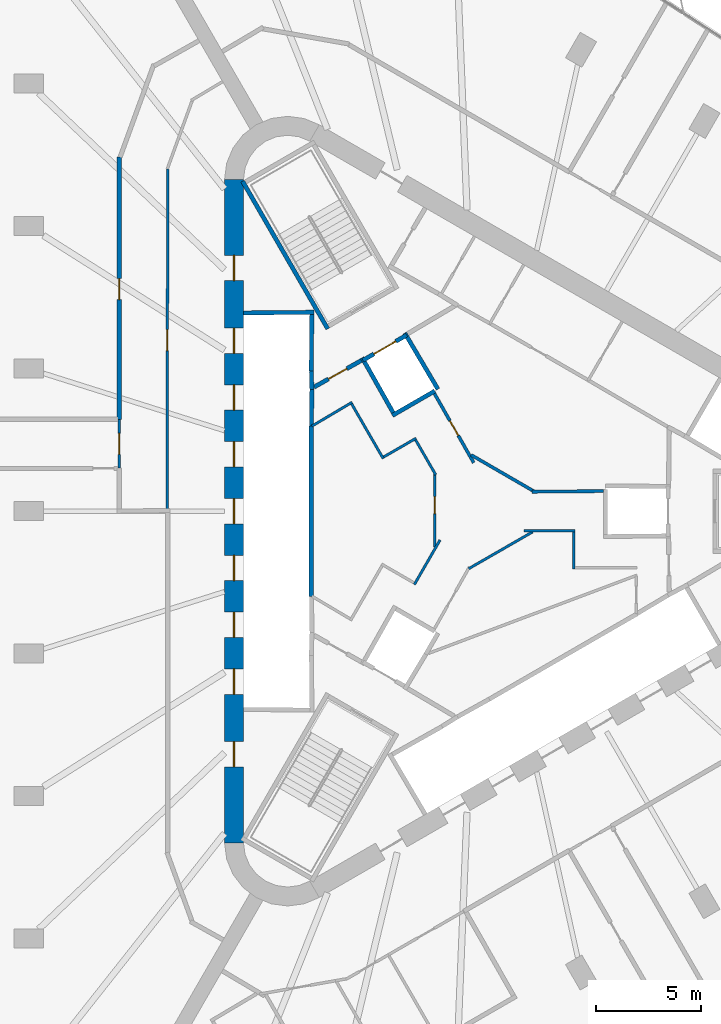
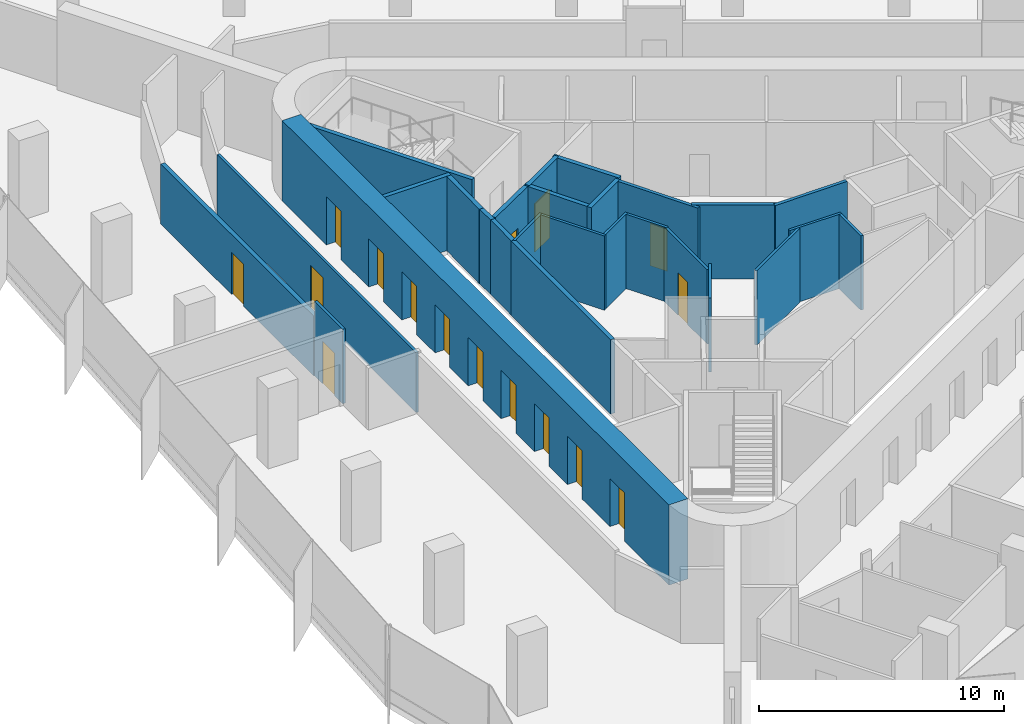
# One storey, part 10 of 14: 27 walls, 16 doors, 16 openings.
"""IFC4 building model written with IfcOpenShell, lengths in metres."""

from ifc_helpers import new_model, si_unit, direction, frame, frame_2d, origin, place, context, subcontext, project, spatial, rectangle, extrude, material, layer, layer_set, type_object, element, fill, save


model = new_model("IFC4")

# Units and contexts
model_context = context("Model", 3, precision=1e-05, world=origin(), true_north=direction((0.0, 1.0)))
body_context = subcontext(model_context, "Body", "Model", "MODEL_VIEW")
ifc_project = project(units=[si_unit("LENGTHUNIT", "METRE"), si_unit("AREAUNIT", "SQUARE_METRE"), si_unit("VOLUMEUNIT", "CUBIC_METRE"), si_unit("PLANEANGLEUNIT", "RADIAN"), si_unit("MASSUNIT", "GRAM", prefix="KILO")], contexts=[model_context])

# Site, building, storey
site_placement = place(None, origin())
site = spatial("IfcSite", under=ifc_project, at=site_placement, CompositionType="ELEMENT")
building_placement = place(site_placement, origin())
building = spatial("IfcBuilding", under=site, at=building_placement, Name="Tanit Gate Tower", CompositionType="ELEMENT")
storey_placement = place(building_placement, frame((0.0, 0.0, 257.199951171875)))
storey = spatial("IfcBuildingStorey", under=building, at=storey_placement, Name="L58", CompositionType="ELEMENT", Elevation=257.199951171875)

# Wall, openings, doors
ifc_material_1 = material(Name="Concrete C50/60", Category="concrete")
ifc_layer_1 = layer(ifc_material_1, 0.89990234375)
ifc_layer_set_1 = layer_set([ifc_layer_1], Name="CORE WALL 900 C50/60")
wall_type_1 = type_object("IfcWallType", Name="CORE WALL 900 C50/60", PredefinedType="SHEAR", material=ifc_layer_set_1)
wall_1_placement = place(storey_placement, frame((-11.64990234375, 15.76171875, 0.0), z_axis=(0.0, 0.0, 1.0), x_axis=(0.0, -1.0, 0.0)))
wall_1 = element("IfcWall", 1, at=wall_1_placement, inside=storey, type_object=wall_type_1, Name="CORE WALL", PredefinedType="SHEAR", context=body_context, shape_type="SweptSolid", body=[
    extrude(rectangle(XDim=31.5234375, YDim=0.89990234375, at=frame_2d((15.76171875, 0.0))), origin(), (0.0, 0.0, 1.0), 4.0),
])
opening_1_placement = place(wall_1_placement, frame((7.061767578125, 0.0, 0.0)))
opening_1 = element("IfcOpeningElement", 2, at=opening_1_placement, cuts=wall_1, Name="Opening LDML1-S16", PredefinedType="OPENING", context=body_context, shape_type="SweptSolid", body=[
    extrude(rectangle(XDim=1.199951171875, YDim=2.39990234375, at=frame_2d((0.60009765625, 1.199951171875))), frame((0.0, 0.4599609375, 0.0), z_axis=(0.0, -1.0, 0.0), x_axis=(1.0, 0.0, 0.0)), (0.0, 0.0, 1.0), 0.919921875),
])
opening_2_placement = place(wall_1_placement, frame((9.76171875, 0.0, 0.0)))
opening_2 = element("IfcOpeningElement", 3, at=opening_2_placement, cuts=wall_1, Name="Opening LDML2-S16", PredefinedType="OPENING", context=body_context, shape_type="SweptSolid", body=[
    extrude(rectangle(XDim=1.199951171875, YDim=2.39990234375, at=frame_2d((0.60009765625, 1.199951171875))), frame((0.0, 0.4599609375, 0.0), z_axis=(0.0, -1.0, 0.0), x_axis=(1.0, 0.0, 0.0)), (0.0, 0.0, 1.0), 0.919921875),
])
opening_3_placement = place(wall_1_placement, frame((12.461669921875, 0.0, 0.0)))
opening_3 = element("IfcOpeningElement", 4, at=opening_3_placement, cuts=wall_1, Name="Opening LDML3-S16", PredefinedType="OPENING", context=body_context, shape_type="SweptSolid", body=[
    extrude(rectangle(XDim=1.199951171875, YDim=2.39990234375, at=frame_2d((0.60009765625, 1.199951171875))), frame((0.0, 0.4599609375, 0.0), z_axis=(0.0, -1.0, 0.0), x_axis=(1.0, 0.0, 0.0)), (0.0, 0.0, 1.0), 0.919921875),
])
opening_4_placement = place(wall_1_placement, frame((15.16162109375, 0.0, 0.0)))
opening_4 = element("IfcOpeningElement", 5, at=opening_4_placement, cuts=wall_1, Name="Opening LDML4-S16", PredefinedType="OPENING", context=body_context, shape_type="SweptSolid", body=[
    extrude(rectangle(XDim=1.199951171875, YDim=2.39990234375, at=frame_2d((0.60009765625, 1.199951171875))), frame((0.0, 0.4599609375, 0.0), z_axis=(0.0, -1.0, 0.0), x_axis=(1.0, 0.0, 0.0)), (0.0, 0.0, 1.0), 0.919921875),
])
opening_5_placement = place(wall_1_placement, frame((17.86181640625, 0.0, 0.0)))
opening_5 = element("IfcOpeningElement", 6, at=opening_5_placement, cuts=wall_1, Name="Opening LDML5-S16", PredefinedType="OPENING", context=body_context, shape_type="SweptSolid", body=[
    extrude(rectangle(XDim=1.199951171875, YDim=2.39990234375, at=frame_2d((0.60009765625, 1.199951171875))), frame((0.0, 0.4599609375, 0.0), z_axis=(0.0, -1.0, 0.0), x_axis=(1.0, 0.0, 0.0)), (0.0, 0.0, 1.0), 0.919921875),
])
opening_6_placement = place(wall_1_placement, frame((20.561767578125, 0.0, 0.0)))
opening_6 = element("IfcOpeningElement", 7, at=opening_6_placement, cuts=wall_1, Name="Opening LDML6-S16", PredefinedType="OPENING", context=body_context, shape_type="SweptSolid", body=[
    extrude(rectangle(XDim=1.199951171875, YDim=2.39990234375, at=frame_2d((0.60009765625, 1.199951171875))), frame((0.0, 0.4599609375, 0.0), z_axis=(0.0, -1.0, 0.0), x_axis=(1.0, 0.0, 0.0)), (0.0, 0.0, 1.0), 0.919921875),
])
opening_7_placement = place(wall_1_placement, frame((23.26171875, 0.0, 0.0)))
opening_7 = element("IfcOpeningElement", 8, at=opening_7_placement, cuts=wall_1, Name="Opening LDML7-S16", PredefinedType="OPENING", context=body_context, shape_type="SweptSolid", body=[
    extrude(rectangle(XDim=1.199951171875, YDim=2.39990234375, at=frame_2d((0.60009765625, 1.199951171875))), frame((0.0, 0.4599609375, 0.0), z_axis=(0.0, -1.0, 0.0), x_axis=(1.0, 0.0, 0.0)), (0.0, 0.0, 1.0), 0.919921875),
])
opening_8_placement = place(wall_1_placement, frame((3.61181640625, 0.0, 0.0)))
opening_8 = element("IfcOpeningElement", 9, at=opening_8_placement, cuts=wall_1, Name="Opening F12-S16-FL2", PredefinedType="OPENING", context=body_context, shape_type="SweptSolid", body=[
    extrude(rectangle(XDim=1.199951171875, YDim=2.39990234375, at=frame_2d((0.60009765625, 1.199951171875))), frame((0.0, 0.4599609375, 0.0), z_axis=(0.0, -1.0, 0.0), x_axis=(1.0, 0.0, 0.0)), (0.0, 0.0, 1.0), 0.919921875),
])
opening_9_placement = place(wall_1_placement, frame((26.711669921875, 0.0, 0.0)))
opening_9 = element("IfcOpeningElement", 10, at=opening_9_placement, cuts=wall_1, Name="Opening F12-S16-S3", PredefinedType="OPENING", context=body_context, shape_type="SweptSolid", body=[
    extrude(rectangle(XDim=1.199951171875, YDim=2.39990234375, at=frame_2d((0.60009765625, 1.199951171875))), frame((0.0, 0.4599609375, 0.0), z_axis=(0.0, -1.0, 0.0), x_axis=(1.0, 0.0, 0.0)), (0.0, 0.0, 1.0), 0.919921875),
])
ifc_material_2 = material(Name="Fire-rated steel door leaf", Category="steel")
door_type_1 = type_object("IfcDoorType", Name="INT-DOOR-FIRE-LOBBY-1200", OperationType="NOTDEFINED", PredefinedType="USERDEFINED", material=ifc_material_2)
door_1_placement = place(opening_8_placement, origin())
door_1 = element("IfcDoor", 11, at=door_1_placement, inside=storey, type_object=door_type_1, Name="Door F12-S16-FL2", ObjectType="FIRE DOOR", OperationType="SINGLE_SWING_RIGHT", OverallHeight=2.39990234375, OverallWidth=1.199951171875, PredefinedType="USERDEFINED", context=body_context, shape_type="SweptSolid", body=[
    extrude(rectangle(XDim=1.199951171875, YDim=2.39990234375, at=frame_2d((0.60009765625, 1.199951171875))), frame((0.0, 0.02490234375, 0.0), z_axis=(0.0, -1.0, 0.0), x_axis=(1.0, 0.0, 0.0)), (0.0, 0.0, 1.0), 0.050048828125),
])
fill(opening_8, door_1)
door_2_placement = place(opening_9_placement, origin())
door_2 = element("IfcDoor", 12, at=door_2_placement, inside=storey, type_object=door_type_1, Name="Door F12-S16-S3", ObjectType="FIRE DOOR", OperationType="SINGLE_SWING_RIGHT", OverallHeight=2.39990234375, OverallWidth=1.199951171875, PredefinedType="USERDEFINED", context=body_context, shape_type="SweptSolid", body=[
    extrude(rectangle(XDim=1.199951171875, YDim=2.39990234375, at=frame_2d((0.60009765625, 1.199951171875))), frame((0.0, 0.02490234375, 0.0), z_axis=(0.0, -1.0, 0.0), x_axis=(1.0, 0.0, 0.0)), (0.0, 0.0, 1.0), 0.050048828125),
])
fill(opening_9, door_2)
ifc_material_3 = material(Name="Stainless steel sliding door leaf", Category="steel")
door_type_2 = type_object("IfcDoorType", Name="INT-DOOR-LANDING-1200", OperationType="NOTDEFINED", PredefinedType="USERDEFINED", material=ifc_material_3)
door_3_placement = place(opening_1_placement, origin())
door_3 = element("IfcDoor", 13, at=door_3_placement, inside=storey, type_object=door_type_2, Name="Door LDML1-S16", ObjectType="LANDING DOOR", OperationType="SLIDING_TO_LEFT", OverallHeight=2.39990234375, OverallWidth=1.199951171875, PredefinedType="USERDEFINED", context=body_context, shape_type="SweptSolid", body=[
    extrude(rectangle(XDim=1.199951171875, YDim=2.39990234375, at=frame_2d((0.60009765625, 1.199951171875))), frame((0.0, 0.02490234375, 0.0), z_axis=(0.0, -1.0, 0.0), x_axis=(1.0, 0.0, 0.0)), (0.0, 0.0, 1.0), 0.050048828125),
])
fill(opening_1, door_3)
door_4_placement = place(opening_2_placement, origin())
door_4 = element("IfcDoor", 14, at=door_4_placement, inside=storey, type_object=door_type_2, Name="Door LDML2-S16", ObjectType="LANDING DOOR", OperationType="SLIDING_TO_LEFT", OverallHeight=2.39990234375, OverallWidth=1.199951171875, PredefinedType="USERDEFINED", context=body_context, shape_type="SweptSolid", body=[
    extrude(rectangle(XDim=1.199951171875, YDim=2.39990234375, at=frame_2d((0.60009765625, 1.199951171875))), frame((0.0, 0.02490234375, 0.0), z_axis=(0.0, -1.0, 0.0), x_axis=(1.0, 0.0, 0.0)), (0.0, 0.0, 1.0), 0.050048828125),
])
fill(opening_2, door_4)
door_5_placement = place(opening_3_placement, origin())
door_5 = element("IfcDoor", 15, at=door_5_placement, inside=storey, type_object=door_type_2, Name="Door LDML3-S16", ObjectType="LANDING DOOR", OperationType="SLIDING_TO_LEFT", OverallHeight=2.39990234375, OverallWidth=1.199951171875, PredefinedType="USERDEFINED", context=body_context, shape_type="SweptSolid", body=[
    extrude(rectangle(XDim=1.199951171875, YDim=2.39990234375, at=frame_2d((0.60009765625, 1.199951171875))), frame((0.0, 0.02490234375, 0.0), z_axis=(0.0, -1.0, 0.0), x_axis=(1.0, 0.0, 0.0)), (0.0, 0.0, 1.0), 0.050048828125),
])
fill(opening_3, door_5)
door_6_placement = place(opening_4_placement, origin())
door_6 = element("IfcDoor", 16, at=door_6_placement, inside=storey, type_object=door_type_2, Name="Door LDML4-S16", ObjectType="LANDING DOOR", OperationType="SLIDING_TO_LEFT", OverallHeight=2.39990234375, OverallWidth=1.199951171875, PredefinedType="USERDEFINED", context=body_context, shape_type="SweptSolid", body=[
    extrude(rectangle(XDim=1.199951171875, YDim=2.39990234375, at=frame_2d((0.60009765625, 1.199951171875))), frame((0.0, 0.02490234375, 0.0), z_axis=(0.0, -1.0, 0.0), x_axis=(1.0, 0.0, 0.0)), (0.0, 0.0, 1.0), 0.050048828125),
])
fill(opening_4, door_6)
door_7_placement = place(opening_5_placement, origin())
door_7 = element("IfcDoor", 17, at=door_7_placement, inside=storey, type_object=door_type_2, Name="Door LDML5-S16", ObjectType="LANDING DOOR", OperationType="SLIDING_TO_LEFT", OverallHeight=2.39990234375, OverallWidth=1.199951171875, PredefinedType="USERDEFINED", context=body_context, shape_type="SweptSolid", body=[
    extrude(rectangle(XDim=1.199951171875, YDim=2.39990234375, at=frame_2d((0.60009765625, 1.199951171875))), frame((0.0, 0.02490234375, 0.0), z_axis=(0.0, -1.0, 0.0), x_axis=(1.0, 0.0, 0.0)), (0.0, 0.0, 1.0), 0.050048828125),
])
fill(opening_5, door_7)
door_8_placement = place(opening_6_placement, origin())
door_8 = element("IfcDoor", 18, at=door_8_placement, inside=storey, type_object=door_type_2, Name="Door LDML6-S16", ObjectType="LANDING DOOR", OperationType="SLIDING_TO_LEFT", OverallHeight=2.39990234375, OverallWidth=1.199951171875, PredefinedType="USERDEFINED", context=body_context, shape_type="SweptSolid", body=[
    extrude(rectangle(XDim=1.199951171875, YDim=2.39990234375, at=frame_2d((0.60009765625, 1.199951171875))), frame((0.0, 0.02490234375, 0.0), z_axis=(0.0, -1.0, 0.0), x_axis=(1.0, 0.0, 0.0)), (0.0, 0.0, 1.0), 0.050048828125),
])
fill(opening_6, door_8)
door_9_placement = place(opening_7_placement, origin())
door_9 = element("IfcDoor", 19, at=door_9_placement, inside=storey, type_object=door_type_2, Name="Door LDML7-S16", ObjectType="LANDING DOOR", OperationType="SLIDING_TO_LEFT", OverallHeight=2.39990234375, OverallWidth=1.199951171875, PredefinedType="USERDEFINED", context=body_context, shape_type="SweptSolid", body=[
    extrude(rectangle(XDim=1.199951171875, YDim=2.39990234375, at=frame_2d((0.60009765625, 1.199951171875))), frame((0.0, 0.02490234375, 0.0), z_axis=(0.0, -1.0, 0.0), x_axis=(1.0, 0.0, 0.0)), (0.0, 0.0, 1.0), 0.050048828125),
])
fill(opening_7, door_9)

# Wall, opening, door
ifc_material_4 = material(Name="Fire-rated gypsum board partition")
ifc_layer_2 = layer(ifc_material_4, 0.199951171875)
ifc_layer_set_2 = layer_set([ifc_layer_2], Name="INT-WALL-COMPARTMENT")
wall_type_2 = type_object("IfcWallType", Name="INT-WALL-COMPARTMENT", PredefinedType="PARTITIONING", material=ifc_layer_set_2)
wall_2_placement = place(storey_placement, frame((-5.600341796875, 7.16015625, 0.0), z_axis=(0.0, 0.0, 1.0), x_axis=(-0.871363259478, -0.490638431059, 0.0)))
wall_2 = element("IfcWall", 20, at=wall_2_placement, inside=storey, type_object=wall_type_2, Name="Wall Compartment W065", PredefinedType="PARTITIONING", context=body_context, shape_type="SweptSolid", body=[
    extrude(rectangle(XDim=2.5810546875, YDim=0.199951171875, at=frame_2d((1.29052734375, 0.0))), origin(), (0.0, 0.0, 1.0), 3.699951171875),
])
opening_10_placement = place(wall_2_placement, frame((0.79052734375, 0.0, 0.0)))
opening_10 = element("IfcOpeningElement", 21, at=opening_10_placement, cuts=wall_2, Name="Opening F10-S16-05", PredefinedType="OPENING", context=body_context, shape_type="SweptSolid", body=[
    extrude(rectangle(XDim=1.0, YDim=2.10009765625, at=frame_2d((0.5, 1.050048828125))), frame((0.0, 0.10986328125, 0.0), z_axis=(0.0, -1.0, 0.0), x_axis=(1.0, 0.0, 0.0)), (0.0, 0.0, 1.0), 0.219970703125),
])
ifc_material_5 = material(Name="Fire-rated steel door leaf", Category="steel")
door_type_3 = type_object("IfcDoorType", Name="INT-DOOR-FIRE-1000", OperationType="NOTDEFINED", PredefinedType="USERDEFINED", material=ifc_material_5)
door_10_placement = place(opening_10_placement, origin())
door_10 = element("IfcDoor", 22, at=door_10_placement, inside=storey, type_object=door_type_3, Name="Door F10-S16-05", ObjectType="FIRE DOOR", OperationType="SINGLE_SWING_RIGHT", OverallHeight=2.10009765625, OverallWidth=1.0, PredefinedType="USERDEFINED", context=body_context, shape_type="SweptSolid", body=[
    extrude(rectangle(XDim=1.0, YDim=2.10009765625, at=frame_2d((0.5, 1.050048828125))), frame((0.0, 0.02490234375, 0.0), z_axis=(0.0, -1.0, 0.0), x_axis=(1.0, 0.0, 0.0)), (0.0, 0.0, 1.0), 0.050048828125),
])
fill(opening_10, door_10)

wall_3_placement = place(storey_placement, frame((-17.10009765625, 16.82275390625, 0.0), z_axis=(0.0, 0.0, 1.0), x_axis=(0.0, -1.0, 0.0)))
wall_3 = element("IfcWall", 23, at=wall_3_placement, inside=storey, type_object=wall_type_2, Name="Wall Compartment W093", PredefinedType="PARTITIONING", context=body_context, shape_type="SweptSolid", body=[
    extrude(rectangle(XDim=12.47265625, YDim=0.199951171875, at=frame_2d((6.236328125, 0.0))), origin(), (0.0, 0.0, 1.0), 2.97998046875),
])
opening_11_placement = place(wall_3_placement, frame((5.7763671875, 0.0, 0.0)))
opening_11 = element("IfcOpeningElement", 24, at=opening_11_placement, cuts=wall_3, Name="Opening F10-S16-31", PredefinedType="OPENING", context=body_context, shape_type="SweptSolid", body=[
    extrude(rectangle(XDim=1.0, YDim=2.10009765625, at=frame_2d((0.5, 1.050048828125))), frame((0.0, 0.10986328125, 0.0), z_axis=(0.0, -1.0, 0.0), x_axis=(1.0, 0.0, 0.0)), (0.0, 0.0, 1.0), 0.219970703125),
])
door_11_placement = place(opening_11_placement, origin())
door_11 = element("IfcDoor", 25, at=door_11_placement, inside=storey, type_object=door_type_3, Name="Door F10-S16-31", ObjectType="FIRE DOOR", OperationType="SINGLE_SWING_RIGHT", OverallHeight=2.10009765625, OverallWidth=1.0, PredefinedType="USERDEFINED", context=body_context, shape_type="SweptSolid", body=[
    extrude(rectangle(XDim=1.0, YDim=2.10009765625, at=frame_2d((0.5, 1.050048828125))), frame((0.0, 0.02490234375, 0.0), z_axis=(0.0, -1.0, 0.0), x_axis=(1.0, 0.0, 0.0)), (0.0, 0.0, 1.0), 0.050048828125),
])
fill(opening_11, door_11)

# Walls
ifc_material_6 = material(Name="Gypsum board partition")
ifc_layer_3 = layer(ifc_material_6, 0.1201171875)
ifc_layer_set_3 = layer_set([ifc_layer_3], Name="INT-WALL-PARTITION")
wall_type_3 = type_object("IfcWallType", Name="INT-WALL-PARTITION", PredefinedType="PARTITIONING", material=ifc_layer_set_3)
wall_4_placement = place(storey_placement, frame((2.53857421875, -0.985107421875, 0.0), z_axis=(0.0, 0.0, 1.0), x_axis=(-0.866657135765, -0.498904208268, 0.0)))
element("IfcWall", 26, at=wall_4_placement, inside=storey, type_object=wall_type_3, Name="Wall Partition W073", PredefinedType="PARTITIONING", context=body_context, shape_type="SweptSolid", body=[
    extrude(rectangle(XDim=3.505126953125, YDim=0.1201171875, at=frame_2d((1.75244140625, 0.0))), origin(), (0.0, 0.0, 1.0), 3.699951171875),
])
wall_5_placement = place(storey_placement, frame((4.56005859375, -0.925048828125, 0.0), z_axis=(0.0, 0.0, 1.0), x_axis=(-1.0, 0.0, 0.0)))
element("IfcWall", 27, at=wall_5_placement, inside=storey, type_object=wall_type_3, Name="Wall Partition W074", PredefinedType="PARTITIONING", context=body_context, shape_type="SweptSolid", body=[
    extrude(rectangle(XDim=2.438232421875, YDim=0.1201171875, at=frame_2d((1.21923828125, 0.0))), origin(), (0.0, 0.0, 1.0), 3.699951171875),
])
wall_6_placement = place(storey_placement, frame((4.5, -2.760009765625, 0.0), z_axis=(0.0, 0.0, 1.0), x_axis=(0.0, 1.0, 0.0)))
element("IfcWall", 28, at=wall_6_placement, inside=storey, type_object=wall_type_3, Name="Wall Partition W075", PredefinedType="PARTITIONING", context=body_context, shape_type="SweptSolid", body=[
    extrude(rectangle(XDim=1.77490234375, YDim=0.1201171875, at=frame_2d((0.887451171875, 0.0))), origin(), (0.0, 0.0, 1.0), 3.699951171875),
])
wall_7_placement = place(storey_placement, frame((-6.03662109375, 5.17578125, 0.0), z_axis=(0.0, 0.0, 1.0), x_axis=(-0.860106072674, -0.510115225953, 0.0)))
element("IfcWall", 29, at=wall_7_placement, inside=storey, type_object=wall_type_3, Name="Wall Partition W078", PredefinedType="PARTITIONING", context=body_context, shape_type="SweptSolid", body=[
    extrude(rectangle(XDim=2.224609375, YDim=0.1201171875, at=frame_2d((1.1123046875, 0.0))), origin(), (0.0, 0.0, 1.0), 3.699951171875),
])
wall_8_placement = place(storey_placement, frame((-4.558349609375, 2.4951171875, 0.0), z_axis=(0.0, 0.0, 1.0), x_axis=(-0.499990139034, 0.866031096941, 0.0)))
element("IfcWall", 30, at=wall_8_placement, inside=storey, type_object=wall_type_3, Name="Wall Partition W079", PredefinedType="PARTITIONING", context=body_context, shape_type="SweptSolid", body=[
    extrude(rectangle(XDim=3.0, YDim=0.1201171875, at=frame_2d((1.5, 0.0))), origin(), (0.0, 0.0, 1.0), 3.699951171875),
])
wall_9_placement = place(storey_placement, frame((-2.9990234375, 3.464599609375, 0.0), z_axis=(0.0, 0.0, 1.0), x_axis=(-0.866059624469, -0.499940723351, 0.0)))
element("IfcWall", 31, at=wall_9_placement, inside=storey, type_object=wall_type_3, Name="Wall Partition W080", PredefinedType="PARTITIONING", context=body_context, shape_type="SweptSolid", body=[
    extrude(rectangle(XDim=1.775146484375, YDim=0.1201171875, at=frame_2d((0.8876953125, 0.0))), origin(), (0.0, 0.0, 1.0), 3.699951171875),
])
wall_10_placement = place(storey_placement, frame((-2.066162109375, 1.728759765625, 0.0), z_axis=(0.0, 0.0, 1.0), x_axis=(-0.500002807145, 0.866023783073, 0.0)))
element("IfcWall", 32, at=wall_10_placement, inside=storey, type_object=wall_type_3, Name="Wall Partition W081", PredefinedType="PARTITIONING", context=body_context, shape_type="SweptSolid", body=[
    extrude(rectangle(XDim=1.90966796875, YDim=0.1201171875, at=frame_2d((0.954833984375, 0.0))), origin(), (0.0, 0.0, 1.0), 3.699951171875),
])

# Wall, opening, door
wall_11_placement = place(storey_placement, frame((-2.122314453125, -1.7060546875, 0.0), z_axis=(0.0, 0.0, 1.0), x_axis=(0.001253480909, 0.999999214392, 0.0)))
wall_11 = element("IfcWall", 33, at=wall_11_placement, inside=storey, type_object=wall_type_3, Name="Wall Partition W082", PredefinedType="PARTITIONING", context=body_context, shape_type="SweptSolid", body=[
    extrude(rectangle(XDim=3.505859375, YDim=0.1201171875, at=frame_2d((1.7529296875, 0.0))), origin(), (0.0, 0.0, 1.0), 3.699951171875),
])
opening_12_placement = place(wall_11_placement, frame((1.593505859375, 0.0, 0.0)))
opening_12 = element("IfcOpeningElement", 34, at=opening_12_placement, cuts=wall_11, Name="Opening R08-S16-13", PredefinedType="OPENING", context=body_context, shape_type="SweptSolid", body=[
    extrude(rectangle(XDim=0.800048828125, YDim=2.10009765625, at=frame_2d((0.39990234375, 1.050048828125))), frame((0.0, 0.070068359375, 0.0), z_axis=(0.0, -1.0, 0.0), x_axis=(1.0, 0.0, 0.0)), (0.0, 0.0, 1.0), 0.14013671875),
])
ifc_material_7 = material(Name="Timber door leaf", Category="wood")
door_type_4 = type_object("IfcDoorType", Name="INT-DOOR-RISER-800", OperationType="NOTDEFINED", PredefinedType="USERDEFINED", material=ifc_material_7)
door_12_placement = place(opening_12_placement, origin())
door_12 = element("IfcDoor", 35, at=door_12_placement, inside=storey, type_object=door_type_4, Name="Door R08-S16-13", ObjectType="FIRE DOOR", OperationType="SINGLE_SWING_LEFT", OverallHeight=2.10009765625, OverallWidth=0.800048828125, PredefinedType="USERDEFINED", context=body_context, shape_type="SweptSolid", body=[
    extrude(rectangle(XDim=0.800048828125, YDim=2.10009765625, at=frame_2d((0.39990234375, 1.050048828125))), frame((0.0, 0.02490234375, 0.0), z_axis=(0.0, -1.0, 0.0), x_axis=(1.0, 0.0, 0.0)), (0.0, 0.0, 1.0), 0.050048828125),
])
fill(opening_12, door_12)

# Wall
wall_12_placement = place(storey_placement, frame((-3.0810546875, -3.486572265625, 0.0), z_axis=(0.0, 0.0, 1.0), x_axis=(0.499962263673, 0.866047189767, 0.0)))
element("IfcWall", 36, at=wall_12_placement, inside=storey, type_object=wall_type_3, Name="Wall Partition W083", PredefinedType="PARTITIONING", context=body_context, shape_type="SweptSolid", body=[
    extrude(rectangle(XDim=2.438232421875, YDim=0.1201171875, at=frame_2d((1.21923828125, 0.0))), origin(), (0.0, 0.0, 1.0), 3.699951171875),
])

# Wall, opening, door
wall_13_placement = place(storey_placement, frame((-14.800048828125, 16.257080078125, 0.0), z_axis=(0.0, 0.0, 1.0), x_axis=(-0.001847148781, -0.999998294019, 0.0)))
wall_13 = element("IfcWall", 37, at=wall_13_placement, inside=storey, type_object=wall_type_3, Name="Wall Partition W089", PredefinedType="PARTITIONING", context=body_context, shape_type="SweptSolid", body=[
    extrude(rectangle(XDim=16.257080078125, YDim=0.1201171875, at=frame_2d((8.12841796875, 0.0))), origin(), (0.0, 0.0, 1.0), 2.97998046875),
])
opening_13_placement = place(wall_13_placement, frame((7.628662109375, 0.0, 0.0)))
opening_13 = element("IfcOpeningElement", 38, at=opening_13_placement, cuts=wall_13, Name="Opening D10-S16-19", PredefinedType="OPENING", context=body_context, shape_type="SweptSolid", body=[
    extrude(rectangle(XDim=1.0, YDim=2.10009765625, at=frame_2d((0.5, 1.050048828125))), frame((0.0, 0.070068359375, 0.0), z_axis=(0.0, -1.0, 0.0), x_axis=(1.0, 0.0, 0.0)), (0.0, 0.0, 1.0), 0.14013671875),
])
ifc_material_8 = material(Name="Timber door leaf", Category="wood")
door_type_5 = type_object("IfcDoorType", Name="INT-DOOR-SINGLE-1000", OperationType="NOTDEFINED", PredefinedType="NOTDEFINED", material=ifc_material_8)
door_13_placement = place(opening_13_placement, origin())
door_13 = element("IfcDoor", 39, at=door_13_placement, inside=storey, type_object=door_type_5, Name="Door D10-S16-19", OperationType="SINGLE_SWING_LEFT", OverallHeight=2.10009765625, OverallWidth=1.0, PredefinedType="NOTDEFINED", context=body_context, shape_type="SweptSolid", body=[
    extrude(rectangle(XDim=1.0, YDim=2.10009765625, at=frame_2d((0.5, 1.050048828125))), frame((0.0, 0.02490234375, 0.0), z_axis=(0.0, -1.0, 0.0), x_axis=(1.0, 0.0, 0.0)), (0.0, 0.0, 1.0), 0.050048828125),
])
fill(opening_13, door_13)

wall_14_placement = place(storey_placement, frame((-17.10009765625, 4.35009765625, 0.0), z_axis=(0.0, 0.0, 1.0), x_axis=(0.0, -1.0, 0.0)))
wall_14 = element("IfcWall", 40, at=wall_14_placement, inside=storey, type_object=wall_type_3, Name="Wall Partition W090", PredefinedType="PARTITIONING", context=body_context, shape_type="SweptSolid", body=[
    extrude(rectangle(XDim=2.300048828125, YDim=0.1201171875, at=frame_2d((1.14990234375, 0.0))), origin(), (0.0, 0.0, 1.0), 3.699951171875),
])
opening_14_placement = place(wall_14_placement, frame((0.64990234375, 0.0, 0.0)))
opening_14 = element("IfcOpeningElement", 41, at=opening_14_placement, cuts=wall_14, Name="Opening D10-S16-20", PredefinedType="OPENING", context=body_context, shape_type="SweptSolid", body=[
    extrude(rectangle(XDim=1.0, YDim=2.10009765625, at=frame_2d((0.5, 1.050048828125))), frame((0.0, 0.070068359375, 0.0), z_axis=(0.0, -1.0, 0.0), x_axis=(1.0, 0.0, 0.0)), (0.0, 0.0, 1.0), 0.14013671875),
])
door_14_placement = place(opening_14_placement, origin())
door_14 = element("IfcDoor", 42, at=door_14_placement, inside=storey, type_object=door_type_5, Name="Door D10-S16-20", OperationType="SINGLE_SWING_LEFT", OverallHeight=2.10009765625, OverallWidth=1.0, PredefinedType="NOTDEFINED", context=body_context, shape_type="SweptSolid", body=[
    extrude(rectangle(XDim=1.0, YDim=2.10009765625, at=frame_2d((0.5, 1.050048828125))), frame((0.0, 0.02490234375, 0.0), z_axis=(0.0, -1.0, 0.0), x_axis=(1.0, 0.0, 0.0)), (0.0, 0.0, 1.0), 0.050048828125),
])
fill(opening_14, door_14)

# Walls
ifc_material_9 = material(Name="Fire-rated gypsum board partition")
ifc_layer_4 = layer(ifc_material_9, 0.14990234375)
ifc_layer_set_4 = layer_set([ifc_layer_4], Name="INT-WALL-RISER")
wall_type_4 = type_object("IfcWallType", Name="INT-WALL-RISER", PredefinedType="PLUMBINGWALL", material=ifc_layer_set_4)
wall_15_placement = place(storey_placement, frame((2.5068359375, 0.923828125, 0.0), z_axis=(0.0, 0.0, 1.0), x_axis=(0.999961473465, 0.008777903278, 0.0)))
element("IfcWall", 43, at=wall_15_placement, inside=storey, type_object=wall_type_4, Name="Wall Riser W068", PredefinedType="PLUMBINGWALL", context=body_context, shape_type="SweptSolid", body=[
    extrude(rectangle(XDim=3.393310546875, YDim=0.14990234375, at=frame_2d((1.69677734375, 0.0))), origin(), (0.0, 0.0, 1.0), 3.699951171875),
])
wall_16_placement = place(storey_placement, frame((-0.38525390625, 2.673095703125, 0.0), z_axis=(0.0, 0.0, 1.0), x_axis=(0.865415028875, -0.501055713266, 0.0)))
element("IfcWall", 44, at=wall_16_placement, inside=storey, type_object=wall_type_4, Name="Wall Riser W069", PredefinedType="PLUMBINGWALL", context=body_context, shape_type="SweptSolid", body=[
    extrude(rectangle(XDim=3.46484375, YDim=0.14990234375, at=frame_2d((1.732421875, 0.0))), origin(), (0.0, 0.0, 1.0), 3.699951171875),
])

# Wall, opening, door
wall_17_placement = place(storey_placement, frame((-2.1240234375, 5.58642578125, 0.0), z_axis=(0.0, 0.0, 1.0), x_axis=(0.493408695398, -0.869797596746, 0.0)))
wall_17 = element("IfcWall", 45, at=wall_17_placement, inside=storey, type_object=wall_type_4, Name="Wall Riser W070", PredefinedType="PLUMBINGWALL", context=body_context, shape_type="SweptSolid", body=[
    extrude(rectangle(XDim=3.7783203125, YDim=0.14990234375, at=frame_2d((1.88916015625, 0.0))), origin(), (0.0, 0.0, 1.0), 3.699951171875),
])
opening_15_placement = place(wall_17_placement, frame((1.4892578125, 0.0, 0.0)))
opening_15 = element("IfcOpeningElement", 46, at=opening_15_placement, cuts=wall_17, Name="Opening R08-S16-10", PredefinedType="OPENING", context=body_context, shape_type="SweptSolid", body=[
    extrude(rectangle(XDim=0.800048828125, YDim=2.10009765625, at=frame_2d((0.39990234375, 1.050048828125))), frame((0.0, 0.0849609375, 0.0), z_axis=(0.0, -1.0, 0.0), x_axis=(1.0, 0.0, 0.0)), (0.0, 0.0, 1.0), 0.169921875),
])
door_15_placement = place(opening_15_placement, origin())
door_15 = element("IfcDoor", 47, at=door_15_placement, inside=storey, type_object=door_type_4, Name="Door R08-S16-10", ObjectType="FIRE DOOR", OperationType="SINGLE_SWING_RIGHT", OverallHeight=2.10009765625, OverallWidth=0.800048828125, PredefinedType="USERDEFINED", context=body_context, shape_type="SweptSolid", body=[
    extrude(rectangle(XDim=0.800048828125, YDim=2.10009765625, at=frame_2d((0.39990234375, 1.050048828125))), frame((0.0, 0.02490234375, 0.0), z_axis=(0.0, -1.0, 0.0), x_axis=(1.0, 0.0, 0.0)), (0.0, 0.0, 1.0), 0.050048828125),
])
fill(opening_15, door_15)

# Walls
ifc_material_10 = material(Name="Gypsum shaft wall system")
ifc_layer_5 = layer(ifc_material_10, 0.199951171875)
ifc_layer_set_5 = layer_set([ifc_layer_5], Name="INT-WALL-SHAFT")
wall_type_5 = type_object("IfcWallType", Name="INT-WALL-SHAFT", PredefinedType="PLUMBINGWALL", material=ifc_layer_set_5)
wall_18_placement = place(storey_placement, frame((-11.199951171875, 9.419921875, 0.0), z_axis=(0.0, 0.0, 1.0), x_axis=(0.999957167047, 0.009255488683, 0.0)))
element("IfcWall", 48, at=wall_18_placement, inside=storey, type_object=wall_type_5, Name="Wall Shaft W001", PredefinedType="PLUMBINGWALL", context=body_context, shape_type="SweptSolid", body=[
    extrude(rectangle(XDim=3.35009765625, YDim=0.199951171875, at=frame_2d((1.675048828125, 0.0))), origin(), (0.0, 0.0, 1.0), 3.699951171875),
])
wall_19_placement = place(storey_placement, frame((-7.951171875, 9.35009765625, 0.0), z_axis=(0.0, 0.0, 1.0), x_axis=(-0.011120469654, -0.999938165666, 0.0)))
element("IfcWall", 49, at=wall_19_placement, inside=storey, type_object=wall_type_5, Name="Wall Shaft W002", PredefinedType="PLUMBINGWALL", context=body_context, shape_type="SweptSolid", body=[
    extrude(rectangle(XDim=2.700439453125, YDim=0.199951171875, at=frame_2d((1.35009765625, 0.0))), origin(), (0.0, 0.0, 1.0), 3.699951171875),
])
wall_20_placement = place(storey_placement, frame((-7.97705078125, 6.650146484375, 0.0), z_axis=(0.0, 0.0, 1.0), x_axis=(0.030861509705, -0.999523670164, 0.0)))
element("IfcWall", 50, at=wall_20_placement, inside=storey, type_object=wall_type_5, Name="Wall Shaft W003", PredefinedType="PLUMBINGWALL", context=body_context, shape_type="SweptSolid", body=[
    extrude(rectangle(XDim=0.878173828125, YDim=0.199951171875, at=frame_2d((0.43896484375, 0.0))), origin(), (0.0, 0.0, 1.0), 3.699951171875),
])
wall_21_placement = place(storey_placement, frame((-7.94921875, 5.894775390625, 0.0), z_axis=(0.0, 0.0, 1.0), x_axis=(-0.012042535896, -0.999927486035, 0.0)))
element("IfcWall", 51, at=wall_21_placement, inside=storey, type_object=wall_type_5, Name="Wall Shaft W004", PredefinedType="PLUMBINGWALL", context=body_context, shape_type="SweptSolid", body=[
    extrude(rectangle(XDim=1.844970703125, YDim=0.199951171875, at=frame_2d((0.92236328125, 0.0))), origin(), (0.0, 0.0, 1.0), 3.699951171875),
])
wall_22_placement = place(storey_placement, frame((-7.97998046875, 4.050048828125, 0.0), z_axis=(0.0, 0.0, 1.0), x_axis=(0.0, -1.0, 0.0)))
element("IfcWall", 52, at=wall_22_placement, inside=storey, type_object=wall_type_5, Name="Wall Shaft W005", PredefinedType="PLUMBINGWALL", context=body_context, shape_type="SweptSolid", body=[
    extrude(rectangle(XDim=8.10009765625, YDim=0.199951171875, at=frame_2d((4.050048828125, 0.0))), origin(), (0.0, 0.0, 1.0), 3.699951171875),
])

# Wall, opening, door
wall_23_placement = place(storey_placement, frame((-5.524169921875, 7.168212890625, 0.0), z_axis=(0.0, 0.0, 1.0), x_axis=(0.866024647952, 0.500001309137, 0.0)))
wall_23 = element("IfcWall", 53, at=wall_23_placement, inside=storey, type_object=wall_type_5, Name="Wall Shaft W037", PredefinedType="PLUMBINGWALL", context=body_context, shape_type="SweptSolid", body=[
    extrude(rectangle(XDim=2.39990234375, YDim=0.199951171875, at=frame_2d((1.199951171875, 0.0))), origin(), (0.0, 0.0, 1.0), 3.699951171875),
])
opening_16_placement = place(wall_23_placement, frame((0.60009765625, 0.0, 0.0)))
opening_16 = element("IfcOpeningElement", 54, at=opening_16_placement, cuts=wall_23, Name="Opening LDFL2-L58", PredefinedType="OPENING", context=body_context, shape_type="SweptSolid", body=[
    extrude(rectangle(XDim=1.199951171875, YDim=2.39990234375, at=frame_2d((0.60009765625, 1.199951171875))), frame((0.0, 0.10986328125, 0.0), z_axis=(0.0, -1.0, 0.0), x_axis=(1.0, 0.0, 0.0)), (0.0, 0.0, 1.0), 0.219970703125),
])
door_16_placement = place(opening_16_placement, origin())
door_16 = element("IfcDoor", 55, at=door_16_placement, inside=storey, type_object=door_type_2, Name="Door LDFL2-L58", ObjectType="LANDING DOOR", OperationType="SLIDING_TO_LEFT", OverallHeight=2.39990234375, OverallWidth=1.199951171875, PredefinedType="USERDEFINED", context=body_context, shape_type="SweptSolid", body=[
    extrude(rectangle(XDim=1.199951171875, YDim=2.39990234375, at=frame_2d((0.60009765625, 1.199951171875))), frame((0.0, 0.02490234375, 0.0), z_axis=(0.0, -1.0, 0.0), x_axis=(1.0, 0.0, 0.0)), (0.0, 0.0, 1.0), 0.050048828125),
])
fill(opening_16, door_16)

# Walls
wall_24_placement = place(storey_placement, frame((-3.53759765625, 8.46533203125, 0.0), z_axis=(0.0, 0.0, 1.0), x_axis=(0.508647062354, -0.860975125052, 0.0)))
element("IfcWall", 56, at=wall_24_placement, inside=storey, type_object=wall_type_5, Name="Wall Shaft W038", PredefinedType="PLUMBINGWALL", context=body_context, shape_type="SweptSolid", body=[
    extrude(rectangle(XDim=3.10009765625, YDim=0.199951171875, at=frame_2d((1.550048828125, 0.0))), origin(), (0.0, 0.0, 1.0), 3.699951171875),
])
wall_25_placement = place(storey_placement, frame((-2.1083984375, 5.7109375, 0.0), z_axis=(0.0, 0.0, 1.0), x_axis=(-0.866009305107, -0.50002788269, 0.0)))
element("IfcWall", 57, at=wall_25_placement, inside=storey, type_object=wall_type_5, Name="Wall Shaft W039", PredefinedType="PLUMBINGWALL", context=body_context, shape_type="SweptSolid", body=[
    extrude(rectangle(XDim=2.329345703125, YDim=0.199951171875, at=frame_2d((1.16455078125, 0.0))), origin(), (0.0, 0.0, 1.0), 3.699951171875),
])
wall_26_placement = place(storey_placement, frame((-5.5625, 7.29638671875, 0.0), z_axis=(0.0, 0.0, 1.0), x_axis=(0.49134651263, -0.870964180966, 0.0)))
element("IfcWall", 58, at=wall_26_placement, inside=storey, type_object=wall_type_5, Name="Wall Shaft W040", PredefinedType="PLUMBINGWALL", context=body_context, shape_type="SweptSolid", body=[
    extrude(rectangle(XDim=3.000244140625, YDim=0.199951171875, at=frame_2d((1.5, 0.0))), origin(), (0.0, 0.0, 1.0), 3.699951171875),
])
ifc_material_11 = material(Name="Concrete C40/50", Category="concrete")
ifc_layer_6 = layer(ifc_material_11, 0.199951171875)
ifc_layer_set_6 = layer_set([ifc_layer_6], Name="INT-WALL-STAIR")
wall_type_6 = type_object("IfcWallType", Name="INT-WALL-STAIR", PredefinedType="SHEAR", material=ifc_layer_set_6)
wall_27_placement = place(storey_placement, frame((-11.245361328125, 15.677734375, -0.300048828125), z_axis=(0.0, 0.0, 1.0), x_axis=(0.499977274689, -0.866038523851, 0.0)))
element("IfcWall", 59, at=wall_27_placement, inside=storey, type_object=wall_type_6, Name="Wall Stair W033", PredefinedType="SHEAR", context=body_context, shape_type="SweptSolid", body=[
    extrude(rectangle(XDim=8.10009765625, YDim=0.199951171875, at=frame_2d((4.050048828125, 0.0))), origin(), (0.0, 0.0, 1.0), 4.0),
])

save(model, "model.ifc")
